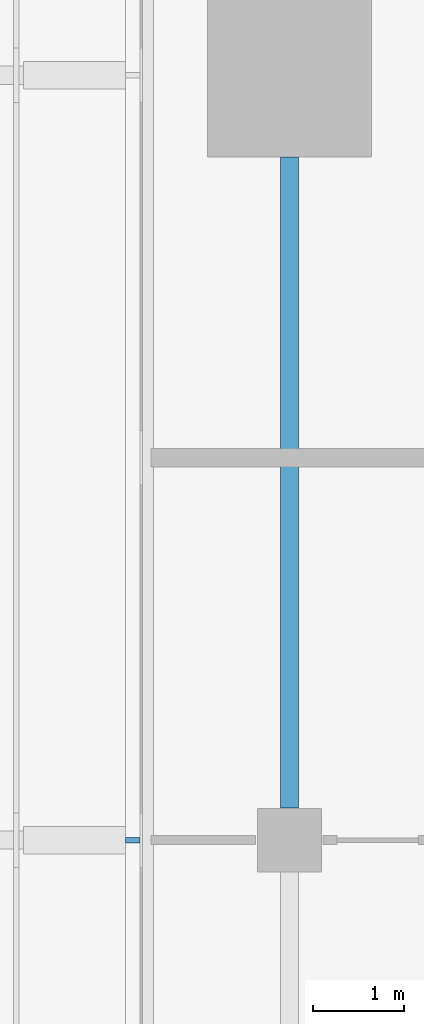
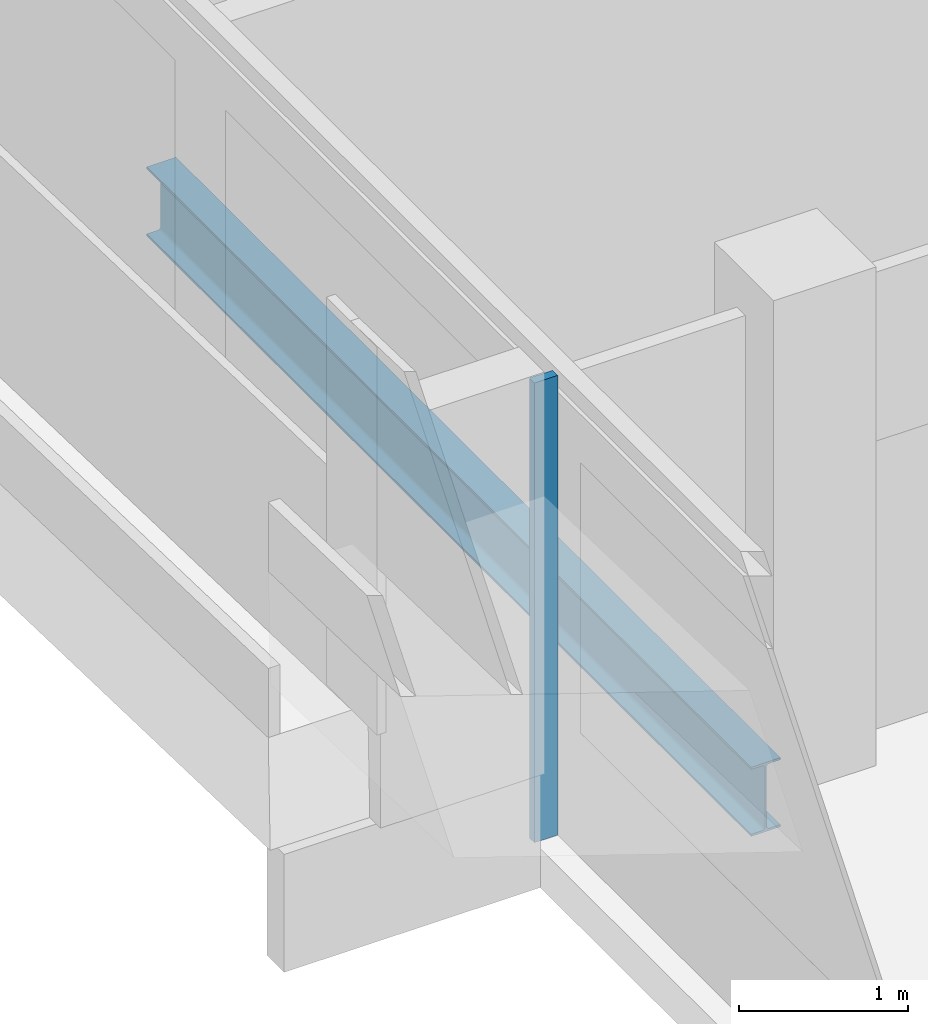
# One storey, part 4 of 29: 1 beam, 1 member, 1 element without a shape of its own.
"""IFC4 building model written with IfcOpenShell, lengths in metres."""

from ifc_helpers import new_model, si_unit, direction, frame, origin, origin_2d, place, context, subcontext, project, spatial, rectangle, i_section, extrude, material, material_profile, profile_set, type_object, element, aggregate, save


model = new_model("IFC4")

# Units and contexts
model_context = context("Model", 3, precision=1e-05, world=origin(), true_north=direction((0.0, 1.0)))
body_context = subcontext(model_context, "Body", "Model", "MODEL_VIEW")
ifc_project = project(units=[si_unit("LENGTHUNIT", "METRE"), si_unit("AREAUNIT", "SQUARE_METRE"), si_unit("VOLUMEUNIT", "CUBIC_METRE"), si_unit("PLANEANGLEUNIT", "RADIAN"), si_unit("MASSUNIT", "GRAM", prefix="KILO")], contexts=[model_context])

# Site, building, storey
site_placement = place(None, origin())
site = spatial("IfcSite", under=ifc_project, at=site_placement, CompositionType="ELEMENT")
building_placement = place(site_placement, origin())
building = spatial("IfcBuilding", under=site, at=building_placement, Name="Saffron Gate Tower", CompositionType="ELEMENT")
storey_placement = place(building_placement, frame((0.0, 0.0, 161.85009765625)))
storey = spatial("IfcBuildingStorey", under=building, at=storey_placement, Name="L39", CompositionType="ELEMENT", Elevation=161.85009765625)

# Beam
ifc_material_1 = material(Name="Structural steel S355", Category="steel")
ifc_material_profile_1 = material_profile(ifc_material_1, i_section(OverallWidth=0.199951171875, OverallDepth=0.5, WebThickness=0.01025390625, FlangeThickness=0.01611328125, FilletRadius=0.02099609375, at=origin_2d()))
ifc_profile_set_1 = profile_set([ifc_material_profile_1], Name="Structural steel S355")
beam_type = type_object("IfcBeamType", Name="B11 IPE 500", PredefinedType="SPANDREL", material=ifc_profile_set_1)
beam_placement = place(storey_placement, frame((49.800048828125, 57.35009765625, -0.530029296875), z_axis=(0.0, 1.0, 0.0), x_axis=(-1.0, 0.0, 0.0)))
element("IfcBeam", 1, at=beam_placement, inside=storey, type_object=beam_type, Name="B11 SPANDREL BEAM", PredefinedType="SPANDREL", context=body_context, shape_type="SweptSolid", body=[
    extrude(i_section(OverallWidth=0.199951171875, OverallDepth=0.5, WebThickness=0.01025390625, FlangeThickness=0.01611328125, FilletRadius=0.02099609375, at=origin_2d()), origin(), (0.0, 0.0, 1.0), 7.14990234375),
])

# Curtain wall, member
ifc_material_2 = material(Name="Aluminium, bronze anodised", Category="aluminium")
curtain_wall_type = type_object("IfcCurtainWallType", Name="CWS2 curtain wall side facades", PredefinedType="NOTDEFINED", material=ifc_material_2)
curtain_wall_placement = place(storey_placement, origin())
curtain_wall = element("IfcCurtainWall", 2, at=curtain_wall_placement, inside=storey, type_object=curtain_wall_type, Name="CWS2 run 10", PredefinedType="NOTDEFINED")
ifc_material_profile_2 = material_profile(ifc_material_2, rectangle(XDim=0.159912109375, YDim=0.06005859375, at=origin_2d()))
ifc_profile_set_2 = profile_set([ifc_material_profile_2], Name="Aluminium, bronze anodised")
member_type = type_object("IfcMemberType", Name="CWS2 mullion 60x160", PredefinedType="MULLION", material=ifc_profile_set_2)
member_placement = place(storey_placement, frame((48.080078125, 57.0, 0.0), z_axis=(0.0, 0.0, 1.0), x_axis=(1.0, 0.0, 0.0)))
member = element("IfcMember", 3, at=member_placement, type_object=member_type, Name="CWS2 mullion 3", PredefinedType="MULLION", context=body_context, shape_type="SweptSolid", body=[
    extrude(rectangle(XDim=0.159912109375, YDim=0.06005859375, at=origin_2d()), origin(), (0.0, 0.0, 1.0), 3.31982421875),
])
aggregate(curtain_wall, [member])

save(model, "model.ifc")
